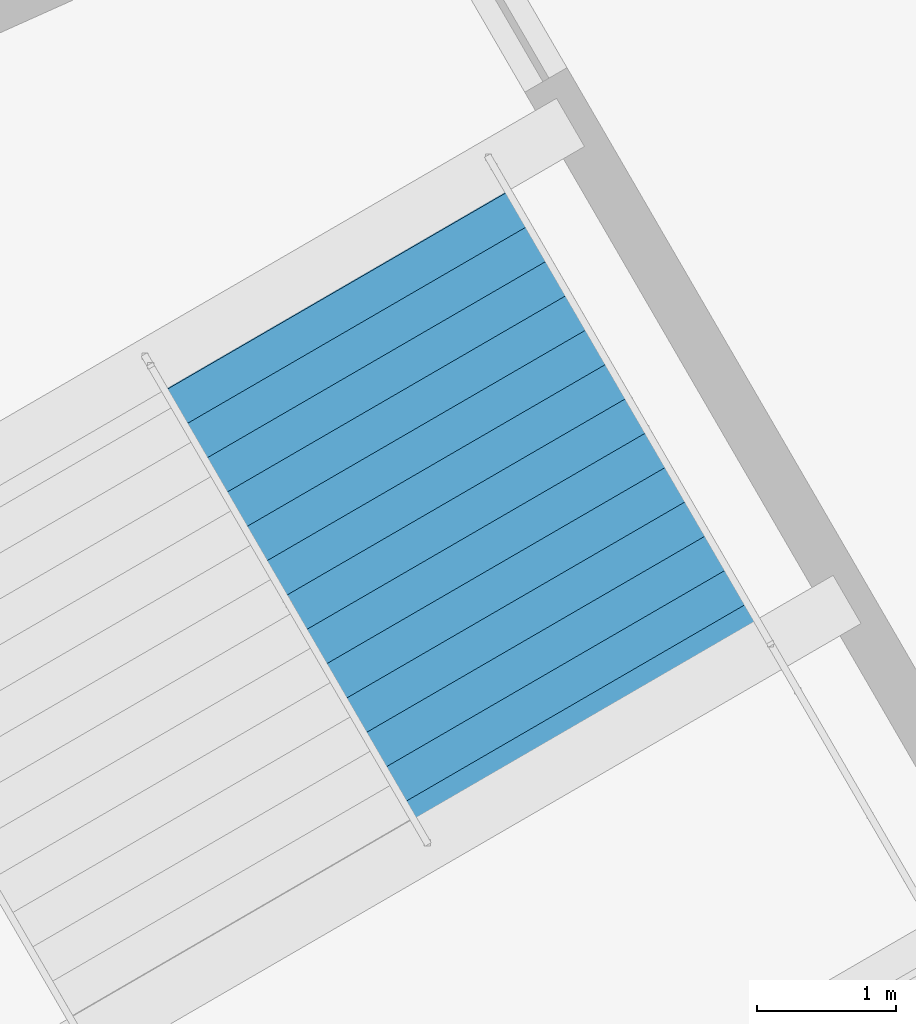
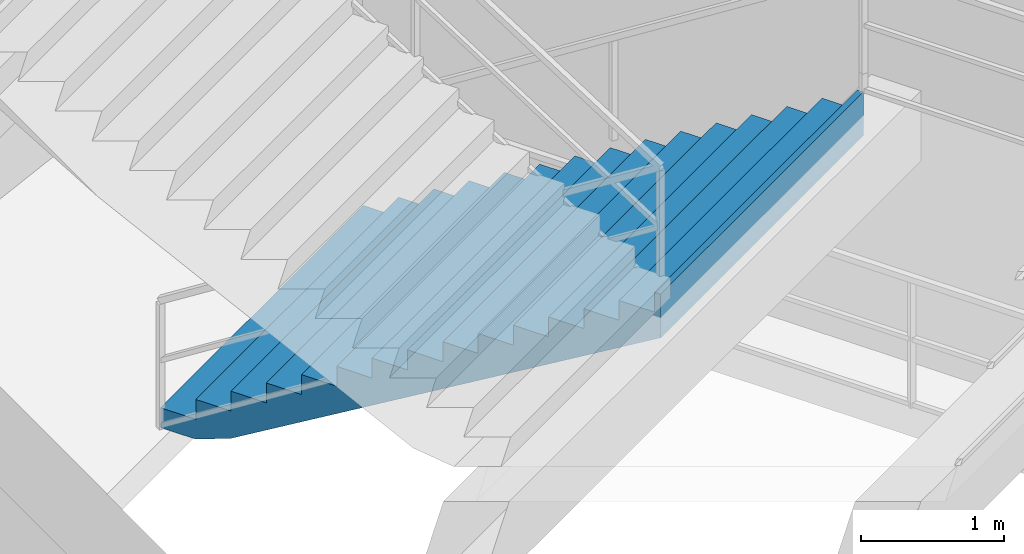
# One storey, part 156 of 184: 1 stair flight, 1 element without a shape of its own.
"""IFC4 building model written with IfcOpenShell, lengths in metres."""

from ifc_helpers import new_model, si_unit, direction, frame, origin, place, context, subcontext, project, spatial, polygons, material, type_object, element, aggregate, save


model = new_model("IFC4")

# Units and contexts
model_context = context("Model", 3, precision=1e-05, world=origin(), true_north=direction((0.0, 1.0)))
body_context = subcontext(model_context, "Body", "Model", "MODEL_VIEW")
ifc_project = project(units=[si_unit("LENGTHUNIT", "METRE"), si_unit("AREAUNIT", "SQUARE_METRE"), si_unit("VOLUMEUNIT", "CUBIC_METRE"), si_unit("PLANEANGLEUNIT", "RADIAN"), si_unit("MASSUNIT", "GRAM", prefix="KILO")], contexts=[model_context])

# Site, building, storey
site_placement = place(None, origin())
site = spatial("IfcSite", under=ifc_project, at=site_placement, CompositionType="ELEMENT")
building_placement = place(site_placement, origin())
building = spatial("IfcBuilding", under=site, at=building_placement, Name="Kazemori Nagisa Stadium", CompositionType="ELEMENT")
storey_placement = place(building_placement, frame((0.0, 0.0, 10.5400390625)))
storey = spatial("IfcBuildingStorey", under=building, at=storey_placement, Name="L02", CompositionType="ELEMENT", Elevation=10.5400390625)

# Stair, stair flight
ifc_material = material(Name="Concrete C36/45 (Fc36)", Category="concrete")
stair_type = type_object("IfcStairType", Name="Stair_CORE_30", PredefinedType="TWO_STRAIGHT_RUN_STAIR", material=ifc_material)
stair_placement = place(storey_placement, origin())
stair = element("IfcStair", 1, at=stair_placement, inside=storey, type_object=stair_type, Name="Exit stair ST09 L02", PredefinedType="TWO_STRAIGHT_RUN_STAIR")
stair_flight_type = type_object("IfcStairFlightType", Name="Flight_CORE_15", PredefinedType="STRAIGHT", material=ifc_material)
stair_flight_placement = place(storey_placement, frame((43.585693359375, 63.55029296875, 0.0), z_axis=(0.0, 0.0, 1.0), x_axis=(0.501624683017, -0.86508535844, 0.0)))
stair_flight = element("IfcStairFlight", 2, at=stair_flight_placement, type_object=stair_flight_type, Name="Exit stair ST09 L02 flight 1", NumberOfRisers=15, NumberOfTreads=14, PredefinedType="STRAIGHT", RiserHeight=0.17, TreadLength=0.285, context=body_context, shape_type="Tessellation", body=[
    polygons([(0.0, -1.425048828125, 0.0), (0.0, -1.425048828125, 0.169921875), (0.284912109375, -1.425048828125, 0.169921875), (0.284912109375, -1.425048828125, 0.340087890625), (0.570068359375, -1.425048828125, 0.340087890625), (0.570068359375, -1.425048828125, 0.510009765625), (0.85498046875, -1.425048828125, 0.510009765625), (0.85498046875, -1.425048828125, 0.679931640625), (1.139892578125, -1.425048828125, 0.679931640625), (1.139892578125, -1.425048828125, 0.85009765625), (1.425048828125, -1.425048828125, 0.85009765625), (1.425048828125, -1.425048828125, 1.02001953125), (1.7099609375, -1.425048828125, 1.02001953125), (1.7099609375, -1.425048828125, 1.18994140625), (1.9951171875, -1.425048828125, 1.18994140625), (1.9951171875, -1.425048828125, 1.360107421875), (2.280029296875, -1.425048828125, 1.360107421875), (2.280029296875, -1.425048828125, 1.530029296875), (2.56494140625, -1.425048828125, 1.530029296875), (2.56494140625, -1.425048828125, 1.699951171875), (2.85009765625, -1.425048828125, 1.699951171875), (2.85009765625, -1.425048828125, 1.8701171875), (3.135009765625, -1.425048828125, 1.8701171875), (3.135009765625, -1.425048828125, 2.0400390625), (3.419921875, -1.425048828125, 2.0400390625), (3.419921875, -1.425048828125, 2.2099609375), (3.705078125, -1.425048828125, 2.2099609375), (3.705078125, -1.425048828125, 2.3798828125), (3.989990234375, -1.425048828125, 2.3798828125), (3.989990234375, -1.425048828125, 2.550048828125), (4.0400390625, -1.425048828125, 2.550048828125), (4.0400390625, -1.425048828125, 2.177001953125), (3.989990234375, -1.425048828125, 2.147216796875), (3.705078125, -1.425048828125, 1.977294921875), (3.419921875, -1.425048828125, 1.80712890625), (3.135009765625, -1.425048828125, 1.63720703125), (2.85009765625, -1.425048828125, 1.46728515625), (2.56494140625, -1.425048828125, 1.297119140625), (2.280029296875, -1.425048828125, 1.127197265625), (1.9951171875, -1.425048828125, 0.957275390625), (1.7099609375, -1.425048828125, 0.787109375), (1.425048828125, -1.425048828125, 0.6171875), (1.139892578125, -1.425048828125, 0.447265625), (0.85498046875, -1.425048828125, 0.277099609375), (0.570068359375, -1.425048828125, 0.107177734375), (0.284912109375, -1.425048828125, 0.0), (0.0, -0.08544921875, 0.0), (0.0, -0.08544921875, 0.169921875), (0.284912109375, -0.08544921875, 0.169921875), (0.284912109375, -0.08544921875, 0.340087890625), (0.570068359375, -0.08544921875, 0.340087890625), (0.570068359375, -0.08544921875, 0.510009765625), (0.85498046875, -0.08544921875, 0.510009765625), (0.85498046875, -0.08544921875, 0.679931640625), (1.139892578125, -0.08544921875, 0.679931640625), (1.139892578125, -0.08544921875, 0.85009765625), (1.425048828125, -0.08544921875, 0.85009765625), (1.425048828125, -0.08544921875, 1.02001953125), (1.7099609375, -0.08544921875, 1.02001953125), (1.7099609375, -0.08544921875, 1.18994140625), (1.9951171875, -0.08544921875, 1.18994140625), (1.9951171875, -0.08544921875, 1.360107421875), (2.280029296875, -0.08544921875, 1.360107421875), (2.280029296875, -0.08544921875, 1.530029296875), (2.56494140625, -0.08544921875, 1.530029296875), (2.56494140625, -0.08544921875, 1.699951171875), (2.85009765625, -0.08544921875, 1.699951171875), (2.85009765625, -0.08544921875, 1.8701171875), (3.135009765625, -0.08544921875, 1.8701171875), (3.135009765625, -0.08544921875, 2.0400390625), (3.419921875, -0.08544921875, 2.0400390625), (3.419921875, -0.08544921875, 2.2099609375), (3.705078125, -0.08544921875, 2.2099609375), (3.705078125, -0.08544921875, 2.3798828125), (3.989990234375, -0.08544921875, 2.3798828125), (3.989990234375, -0.08544921875, 2.550048828125), (4.0400390625, -0.08544921875, 2.550048828125), (4.0400390625, -0.08544921875, 2.177001953125), (3.989990234375, -0.08544921875, 2.147216796875), (3.705078125, -0.08544921875, 1.977294921875), (3.419921875, -0.08544921875, 1.80712890625), (3.135009765625, -0.08544921875, 1.63720703125), (2.85009765625, -0.08544921875, 1.46728515625), (2.56494140625, -0.08544921875, 1.297119140625), (2.280029296875, -0.08544921875, 1.127197265625), (1.9951171875, -0.08544921875, 0.957275390625), (1.7099609375, -0.08544921875, 0.787109375), (1.425048828125, -0.08544921875, 0.6171875), (1.139892578125, -0.08544921875, 0.447265625), (0.85498046875, -0.08544921875, 0.277099609375), (0.570068359375, -0.08544921875, 0.107177734375), (0.284912109375, -0.08544921875, 0.0), (0.0, 0.0, 0.0), (0.0, 0.0, 0.169921875), (0.284912109375, 0.0, 0.169921875), (0.284912109375, 0.0, 0.340087890625), (0.570068359375, 0.0, 0.340087890625), (0.570068359375, 0.0, 0.510009765625), (0.85498046875, 0.0, 0.510009765625), (0.85498046875, 0.0, 0.679931640625), (1.139892578125, 0.0, 0.679931640625), (1.139892578125, 0.0, 0.85009765625), (1.425048828125, 0.0, 0.85009765625), (1.425048828125, 0.0, 1.02001953125), (1.7099609375, 0.0, 1.02001953125), (1.7099609375, 0.0, 1.18994140625), (1.9951171875, 0.0, 1.18994140625), (1.9951171875, 0.0, 1.360107421875), (2.280029296875, 0.0, 1.360107421875), (2.280029296875, 0.0, 1.530029296875), (2.56494140625, 0.0, 1.530029296875), (2.56494140625, 0.0, 1.699951171875), (2.85009765625, 0.0, 1.699951171875), (2.85009765625, 0.0, 1.8701171875), (3.135009765625, 0.0, 1.8701171875), (3.135009765625, 0.0, 2.0400390625), (3.419921875, 0.0, 2.0400390625), (3.419921875, 0.0, 2.2099609375), (3.705078125, 0.0, 2.2099609375), (3.705078125, 0.0, 2.3798828125), (3.989990234375, 0.0, 2.3798828125), (3.989990234375, 0.0, 2.550048828125), (4.0400390625, 0.0, 2.550048828125), (4.0400390625, 0.0, 2.177001953125), (3.989990234375, 0.0, 2.147216796875), (3.705078125, 0.0, 1.977294921875), (3.419921875, 0.0, 1.80712890625), (3.135009765625, 0.0, 1.63720703125), (2.85009765625, 0.0, 1.46728515625), (2.56494140625, 0.0, 1.297119140625), (2.280029296875, 0.0, 1.127197265625), (1.9951171875, 0.0, 0.957275390625), (1.7099609375, 0.0, 0.787109375), (1.425048828125, 0.0, 0.6171875), (1.139892578125, 0.0, 0.447265625), (0.85498046875, 0.0, 0.277099609375), (0.570068359375, 0.0, 0.107177734375), (0.284912109375, 0.0, 0.0), (0.0, 0.08544921875, 0.0), (0.0, 0.08544921875, 0.169921875), (0.284912109375, 0.08544921875, 0.169921875), (0.284912109375, 0.08544921875, 0.340087890625), (0.570068359375, 0.08544921875, 0.340087890625), (0.570068359375, 0.08544921875, 0.510009765625), (0.85498046875, 0.08544921875, 0.510009765625), (0.85498046875, 0.08544921875, 0.679931640625), (1.139892578125, 0.08544921875, 0.679931640625), (1.139892578125, 0.08544921875, 0.85009765625), (1.425048828125, 0.08544921875, 0.85009765625), (1.425048828125, 0.08544921875, 1.02001953125), (1.7099609375, 0.08544921875, 1.02001953125), (1.7099609375, 0.08544921875, 1.18994140625), (1.9951171875, 0.08544921875, 1.18994140625), (1.9951171875, 0.08544921875, 1.360107421875), (2.280029296875, 0.08544921875, 1.360107421875), (2.280029296875, 0.08544921875, 1.530029296875), (2.56494140625, 0.08544921875, 1.530029296875), (2.56494140625, 0.08544921875, 1.699951171875), (2.85009765625, 0.08544921875, 1.699951171875), (2.85009765625, 0.08544921875, 1.8701171875), (3.135009765625, 0.08544921875, 1.8701171875), (3.135009765625, 0.08544921875, 2.0400390625), (3.419921875, 0.08544921875, 2.0400390625), (3.419921875, 0.08544921875, 2.2099609375), (3.705078125, 0.08544921875, 2.2099609375), (3.705078125, 0.08544921875, 2.3798828125), (3.989990234375, 0.08544921875, 2.3798828125), (3.989990234375, 0.08544921875, 2.550048828125), (4.0400390625, 0.08544921875, 2.550048828125), (4.0400390625, 0.08544921875, 2.177001953125), (3.989990234375, 0.08544921875, 2.147216796875), (3.705078125, 0.08544921875, 1.977294921875), (3.419921875, 0.08544921875, 1.80712890625), (3.135009765625, 0.08544921875, 1.63720703125), (2.85009765625, 0.08544921875, 1.46728515625), (2.56494140625, 0.08544921875, 1.297119140625), (2.280029296875, 0.08544921875, 1.127197265625), (1.9951171875, 0.08544921875, 0.957275390625), (1.7099609375, 0.08544921875, 0.787109375), (1.425048828125, 0.08544921875, 0.6171875), (1.139892578125, 0.08544921875, 0.447265625), (0.85498046875, 0.08544921875, 0.277099609375), (0.570068359375, 0.08544921875, 0.107177734375), (0.284912109375, 0.08544921875, 0.0), (0.0, 1.425048828125, 0.0), (0.0, 1.425048828125, 0.169921875), (0.284912109375, 1.425048828125, 0.169921875), (0.284912109375, 1.425048828125, 0.340087890625), (0.570068359375, 1.425048828125, 0.340087890625), (0.570068359375, 1.425048828125, 0.510009765625), (0.85498046875, 1.425048828125, 0.510009765625), (0.85498046875, 1.425048828125, 0.679931640625), (1.139892578125, 1.425048828125, 0.679931640625), (1.139892578125, 1.425048828125, 0.85009765625), (1.425048828125, 1.425048828125, 0.85009765625), (1.425048828125, 1.425048828125, 1.02001953125), (1.7099609375, 1.425048828125, 1.02001953125), (1.7099609375, 1.425048828125, 1.18994140625), (1.9951171875, 1.425048828125, 1.18994140625), (1.9951171875, 1.425048828125, 1.360107421875), (2.280029296875, 1.425048828125, 1.360107421875), (2.280029296875, 1.425048828125, 1.530029296875), (2.56494140625, 1.425048828125, 1.530029296875), (2.56494140625, 1.425048828125, 1.699951171875), (2.85009765625, 1.425048828125, 1.699951171875), (2.85009765625, 1.425048828125, 1.8701171875), (3.135009765625, 1.425048828125, 1.8701171875), (3.135009765625, 1.425048828125, 2.0400390625), (3.419921875, 1.425048828125, 2.0400390625), (3.419921875, 1.425048828125, 2.2099609375), (3.705078125, 1.425048828125, 2.2099609375), (3.705078125, 1.425048828125, 2.3798828125), (3.989990234375, 1.425048828125, 2.3798828125), (3.989990234375, 1.425048828125, 2.550048828125), (4.0400390625, 1.425048828125, 2.550048828125), (4.0400390625, 1.425048828125, 2.177001953125), (3.989990234375, 1.425048828125, 2.147216796875), (3.705078125, 1.425048828125, 1.977294921875), (3.419921875, 1.425048828125, 1.80712890625), (3.135009765625, 1.425048828125, 1.63720703125), (2.85009765625, 1.425048828125, 1.46728515625), (2.56494140625, 1.425048828125, 1.297119140625), (2.280029296875, 1.425048828125, 1.127197265625), (1.9951171875, 1.425048828125, 0.957275390625), (1.7099609375, 1.425048828125, 0.787109375), (1.425048828125, 1.425048828125, 0.6171875), (1.139892578125, 1.425048828125, 0.447265625), (0.85498046875, 1.425048828125, 0.277099609375), (0.570068359375, 1.425048828125, 0.107177734375), (0.284912109375, 1.425048828125, 0.0)], [[[1, 2, 48]], [[1, 48, 47]], [[2, 3, 49]], [[2, 49, 48]], [[3, 4, 50]], [[3, 50, 49]], [[4, 5, 51]], [[4, 51, 50]], [[5, 6, 52]], [[5, 52, 51]], [[6, 7, 53]], [[6, 53, 52]], [[7, 8, 54]], [[7, 54, 53]], [[8, 9, 55]], [[8, 55, 54]], [[9, 10, 56]], [[9, 56, 55]], [[10, 11, 57]], [[10, 57, 56]], [[11, 12, 58]], [[11, 58, 57]], [[12, 13, 59]], [[12, 59, 58]], [[13, 14, 60]], [[13, 60, 59]], [[14, 15, 61]], [[14, 61, 60]], [[15, 16, 62]], [[15, 62, 61]], [[16, 17, 63]], [[16, 63, 62]], [[17, 18, 64]], [[17, 64, 63]], [[18, 19, 65]], [[18, 65, 64]], [[19, 20, 66]], [[19, 66, 65]], [[20, 21, 67]], [[20, 67, 66]], [[21, 22, 68]], [[21, 68, 67]], [[22, 23, 69]], [[22, 69, 68]], [[23, 24, 70]], [[23, 70, 69]], [[24, 25, 71]], [[24, 71, 70]], [[25, 26, 72]], [[25, 72, 71]], [[26, 27, 73]], [[26, 73, 72]], [[27, 28, 74]], [[27, 74, 73]], [[28, 29, 75]], [[28, 75, 74]], [[29, 30, 76]], [[29, 76, 75]], [[30, 31, 77]], [[30, 77, 76]], [[31, 32, 78]], [[31, 78, 77]], [[32, 33, 79]], [[32, 79, 78]], [[33, 34, 80]], [[33, 80, 79]], [[34, 35, 81]], [[34, 81, 80]], [[35, 36, 82]], [[35, 82, 81]], [[36, 37, 83]], [[36, 83, 82]], [[37, 38, 84]], [[37, 84, 83]], [[38, 39, 85]], [[38, 85, 84]], [[39, 40, 86]], [[39, 86, 85]], [[40, 41, 87]], [[40, 87, 86]], [[41, 42, 88]], [[41, 88, 87]], [[42, 43, 89]], [[42, 89, 88]], [[43, 44, 90]], [[43, 90, 89]], [[44, 45, 91]], [[44, 91, 90]], [[45, 46, 92]], [[45, 92, 91]], [[46, 1, 47]], [[46, 47, 92]], [[47, 48, 94]], [[47, 94, 93]], [[48, 49, 95]], [[48, 95, 94]], [[49, 50, 96]], [[49, 96, 95]], [[50, 51, 97]], [[50, 97, 96]], [[51, 52, 98]], [[51, 98, 97]], [[52, 53, 99]], [[52, 99, 98]], [[53, 54, 100]], [[53, 100, 99]], [[54, 55, 101]], [[54, 101, 100]], [[55, 56, 102]], [[55, 102, 101]], [[56, 57, 103]], [[56, 103, 102]], [[57, 58, 104]], [[57, 104, 103]], [[58, 59, 105]], [[58, 105, 104]], [[59, 60, 106]], [[59, 106, 105]], [[60, 61, 107]], [[60, 107, 106]], [[61, 62, 108]], [[61, 108, 107]], [[62, 63, 109]], [[62, 109, 108]], [[63, 64, 110]], [[63, 110, 109]], [[64, 65, 111]], [[64, 111, 110]], [[65, 66, 112]], [[65, 112, 111]], [[66, 67, 113]], [[66, 113, 112]], [[67, 68, 114]], [[67, 114, 113]], [[68, 69, 115]], [[68, 115, 114]], [[69, 70, 116]], [[69, 116, 115]], [[70, 71, 117]], [[70, 117, 116]], [[71, 72, 118]], [[71, 118, 117]], [[72, 73, 119]], [[72, 119, 118]], [[73, 74, 120]], [[73, 120, 119]], [[74, 75, 121]], [[74, 121, 120]], [[75, 76, 122]], [[75, 122, 121]], [[76, 77, 123]], [[76, 123, 122]], [[77, 78, 124]], [[77, 124, 123]], [[78, 79, 125]], [[78, 125, 124]], [[79, 80, 126]], [[79, 126, 125]], [[80, 81, 127]], [[80, 127, 126]], [[81, 82, 128]], [[81, 128, 127]], [[82, 83, 129]], [[82, 129, 128]], [[83, 84, 130]], [[83, 130, 129]], [[84, 85, 131]], [[84, 131, 130]], [[85, 86, 132]], [[85, 132, 131]], [[86, 87, 133]], [[86, 133, 132]], [[87, 88, 134]], [[87, 134, 133]], [[88, 89, 135]], [[88, 135, 134]], [[89, 90, 136]], [[89, 136, 135]], [[90, 91, 137]], [[90, 137, 136]], [[91, 92, 138]], [[91, 138, 137]], [[92, 47, 93]], [[92, 93, 138]], [[93, 94, 140]], [[93, 140, 139]], [[94, 95, 141]], [[94, 141, 140]], [[95, 96, 142]], [[95, 142, 141]], [[96, 97, 143]], [[96, 143, 142]], [[97, 98, 144]], [[97, 144, 143]], [[98, 99, 145]], [[98, 145, 144]], [[99, 100, 146]], [[99, 146, 145]], [[100, 101, 147]], [[100, 147, 146]], [[101, 102, 148]], [[101, 148, 147]], [[102, 103, 149]], [[102, 149, 148]], [[103, 104, 150]], [[103, 150, 149]], [[104, 105, 151]], [[104, 151, 150]], [[105, 106, 152]], [[105, 152, 151]], [[106, 107, 153]], [[106, 153, 152]], [[107, 108, 154]], [[107, 154, 153]], [[108, 109, 155]], [[108, 155, 154]], [[109, 110, 156]], [[109, 156, 155]], [[110, 111, 157]], [[110, 157, 156]], [[111, 112, 158]], [[111, 158, 157]], [[112, 113, 159]], [[112, 159, 158]], [[113, 114, 160]], [[113, 160, 159]], [[114, 115, 161]], [[114, 161, 160]], [[115, 116, 162]], [[115, 162, 161]], [[116, 117, 163]], [[116, 163, 162]], [[117, 118, 164]], [[117, 164, 163]], [[118, 119, 165]], [[118, 165, 164]], [[119, 120, 166]], [[119, 166, 165]], [[120, 121, 167]], [[120, 167, 166]], [[121, 122, 168]], [[121, 168, 167]], [[122, 123, 169]], [[122, 169, 168]], [[123, 124, 170]], [[123, 170, 169]], [[124, 125, 171]], [[124, 171, 170]], [[125, 126, 172]], [[125, 172, 171]], [[126, 127, 173]], [[126, 173, 172]], [[127, 128, 174]], [[127, 174, 173]], [[128, 129, 175]], [[128, 175, 174]], [[129, 130, 176]], [[129, 176, 175]], [[130, 131, 177]], [[130, 177, 176]], [[131, 132, 178]], [[131, 178, 177]], [[132, 133, 179]], [[132, 179, 178]], [[133, 134, 180]], [[133, 180, 179]], [[134, 135, 181]], [[134, 181, 180]], [[135, 136, 182]], [[135, 182, 181]], [[136, 137, 183]], [[136, 183, 182]], [[137, 138, 184]], [[137, 184, 183]], [[138, 93, 139]], [[138, 139, 184]], [[139, 140, 186]], [[139, 186, 185]], [[140, 141, 187]], [[140, 187, 186]], [[141, 142, 188]], [[141, 188, 187]], [[142, 143, 189]], [[142, 189, 188]], [[143, 144, 190]], [[143, 190, 189]], [[144, 145, 191]], [[144, 191, 190]], [[145, 146, 192]], [[145, 192, 191]], [[146, 147, 193]], [[146, 193, 192]], [[147, 148, 194]], [[147, 194, 193]], [[148, 149, 195]], [[148, 195, 194]], [[149, 150, 196]], [[149, 196, 195]], [[150, 151, 197]], [[150, 197, 196]], [[151, 152, 198]], [[151, 198, 197]], [[152, 153, 199]], [[152, 199, 198]], [[153, 154, 200]], [[153, 200, 199]], [[154, 155, 201]], [[154, 201, 200]], [[155, 156, 202]], [[155, 202, 201]], [[156, 157, 203]], [[156, 203, 202]], [[157, 158, 204]], [[157, 204, 203]], [[158, 159, 205]], [[158, 205, 204]], [[159, 160, 206]], [[159, 206, 205]], [[160, 161, 207]], [[160, 207, 206]], [[161, 162, 208]], [[161, 208, 207]], [[162, 163, 209]], [[162, 209, 208]], [[163, 164, 210]], [[163, 210, 209]], [[164, 165, 211]], [[164, 211, 210]], [[165, 166, 212]], [[165, 212, 211]], [[166, 167, 213]], [[166, 213, 212]], [[167, 168, 214]], [[167, 214, 213]], [[168, 169, 215]], [[168, 215, 214]], [[169, 170, 216]], [[169, 216, 215]], [[170, 171, 217]], [[170, 217, 216]], [[171, 172, 218]], [[171, 218, 217]], [[172, 173, 219]], [[172, 219, 218]], [[173, 174, 220]], [[173, 220, 219]], [[174, 175, 221]], [[174, 221, 220]], [[175, 176, 222]], [[175, 222, 221]], [[176, 177, 223]], [[176, 223, 222]], [[177, 178, 224]], [[177, 224, 223]], [[178, 179, 225]], [[178, 225, 224]], [[179, 180, 226]], [[179, 226, 225]], [[180, 181, 227]], [[180, 227, 226]], [[181, 182, 228]], [[181, 228, 227]], [[182, 183, 229]], [[182, 229, 228]], [[183, 184, 230]], [[183, 230, 229]], [[184, 139, 185]], [[184, 185, 230]], [[3, 2, 1]], [[185, 186, 187]], [[46, 3, 1]], [[185, 187, 230]], [[45, 3, 46]], [[230, 187, 229]], [[5, 3, 45]], [[229, 187, 189]], [[5, 4, 3]], [[187, 188, 189]], [[44, 5, 45]], [[229, 189, 228]], [[7, 5, 44]], [[228, 189, 191]], [[7, 6, 5]], [[189, 190, 191]], [[43, 7, 44]], [[228, 191, 227]], [[9, 7, 43]], [[227, 191, 193]], [[9, 8, 7]], [[191, 192, 193]], [[42, 9, 43]], [[227, 193, 226]], [[11, 9, 42]], [[226, 193, 195]], [[11, 10, 9]], [[193, 194, 195]], [[41, 11, 42]], [[226, 195, 225]], [[13, 11, 41]], [[225, 195, 197]], [[13, 12, 11]], [[195, 196, 197]], [[40, 13, 41]], [[225, 197, 224]], [[15, 13, 40]], [[224, 197, 199]], [[15, 14, 13]], [[197, 198, 199]], [[39, 15, 40]], [[224, 199, 223]], [[17, 15, 39]], [[223, 199, 201]], [[17, 16, 15]], [[199, 200, 201]], [[38, 17, 39]], [[223, 201, 222]], [[19, 17, 38]], [[222, 201, 203]], [[19, 18, 17]], [[201, 202, 203]], [[37, 19, 38]], [[222, 203, 221]], [[21, 19, 37]], [[221, 203, 205]], [[21, 20, 19]], [[203, 204, 205]], [[36, 21, 37]], [[221, 205, 220]], [[23, 21, 36]], [[220, 205, 207]], [[23, 22, 21]], [[205, 206, 207]], [[35, 23, 36]], [[220, 207, 219]], [[25, 23, 35]], [[219, 207, 209]], [[25, 24, 23]], [[207, 208, 209]], [[34, 25, 35]], [[219, 209, 218]], [[27, 25, 34]], [[218, 209, 211]], [[27, 26, 25]], [[209, 210, 211]], [[33, 27, 34]], [[218, 211, 217]], [[29, 27, 33]], [[217, 211, 213]], [[29, 28, 27]], [[211, 212, 213]], [[32, 29, 33]], [[217, 213, 216]], [[31, 29, 32]], [[216, 213, 215]], [[31, 30, 29]], [[213, 214, 215]]], closed=True),
])
aggregate(stair, [stair_flight])

save(model, "model.ifc")
